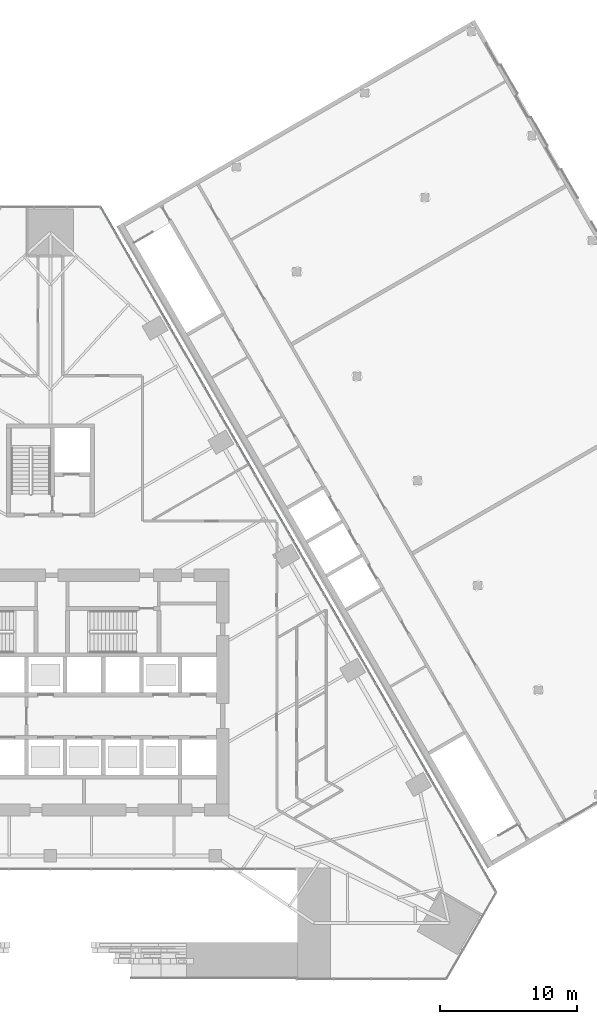
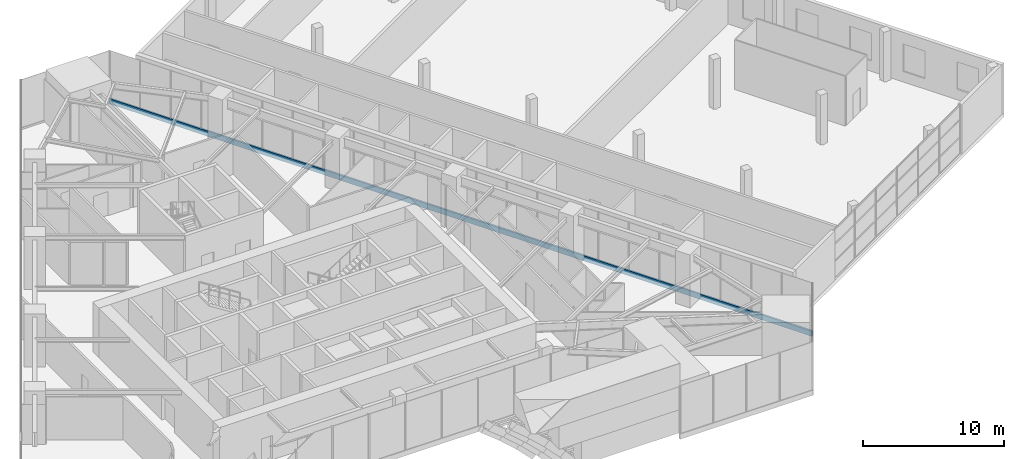
# One storey, part 8 of 23: 1 member, 1 element without a shape of its own.
"""IFC4 building model written with IfcOpenShell, lengths in metres."""

from ifc_helpers import new_model, si_unit, direction, frame, origin, origin_2d, place, context, subcontext, project, spatial, rectangle, extrude, material, layer, layer_set, material_profile, profile_set, type_object, element, aggregate, save


model = new_model("IFC4")

# Units and contexts
model_context = context("Model", 3, precision=1e-05, world=origin(), true_north=direction((0.0, 1.0)))
body_context = subcontext(model_context, "Body", "Model", "MODEL_VIEW")
ifc_project = project(units=[si_unit("LENGTHUNIT", "METRE"), si_unit("AREAUNIT", "SQUARE_METRE"), si_unit("VOLUMEUNIT", "CUBIC_METRE"), si_unit("PLANEANGLEUNIT", "RADIAN"), si_unit("MASSUNIT", "GRAM", prefix="KILO")], contexts=[model_context])

# Site, building, storey
site_placement = place(None, origin())
site = spatial("IfcSite", under=ifc_project, at=site_placement, CompositionType="ELEMENT")
building_placement = place(site_placement, origin())
building = spatial("IfcBuilding", under=site, at=building_placement, Name="Firuza Gate Tower and Library", CompositionType="ELEMENT")
storey_placement = place(building_placement, frame((0.0, 0.0, 21.800048828125)))
storey = spatial("IfcBuildingStorey", under=building, at=storey_placement, Name="L04", CompositionType="ELEMENT", Elevation=21.800048828125)

# Curtain wall, member
ifc_material_1 = material(Name="Aluminium 6063-T6", Category="aluminium")
ifc_layer = layer(ifc_material_1, 0.14990234375)
ifc_layer_set = layer_set([ifc_layer], Name="Stick curtain wall, podium")
curtain_wall_type = type_object("IfcCurtainWallType", Name="Stick curtain wall, podium", PredefinedType="NOTDEFINED", material=ifc_layer_set)
curtain_wall_placement = place(storey_placement, origin())
curtain_wall = element("IfcCurtainWall", 1, at=curtain_wall_placement, inside=storey, type_object=curtain_wall_type, Name="CW5 L04 E", PredefinedType="NOTDEFINED")
ifc_material_2 = material(Name="Aluminium 6063-T6", Category="aluminium")
ifc_material_profile = material_profile(ifc_material_2, rectangle(XDim=0.14990234375, YDim=0.449951171875, at=origin_2d()))
ifc_profile_set = profile_set([ifc_material_profile], Name="Aluminium 6063-T6")
member_type = type_object("IfcMemberType", Name="Curtain wall transom 450x150", PredefinedType="USERDEFINED", material=ifc_profile_set)
member_placement = place(storey_placement, frame((107.486572265625, 60.45068359375, -0.074951171875), z_axis=(-0.499998069382, 0.866026518424, 0.0), x_axis=(-0.866026518424, -0.499998069382, 0.0)))
member = element("IfcMember", 2, at=member_placement, type_object=member_type, Name="Transom", ObjectType="TRANSOM", PredefinedType="USERDEFINED", context=body_context, shape_type="SweptSolid", body=[
    extrude(rectangle(XDim=0.14990234375, YDim=0.449951171875, at=origin_2d()), origin(), (0.0, 0.0, 1.0), 57.686767578125),
])
aggregate(curtain_wall, [member])

save(model, "model.ifc")
